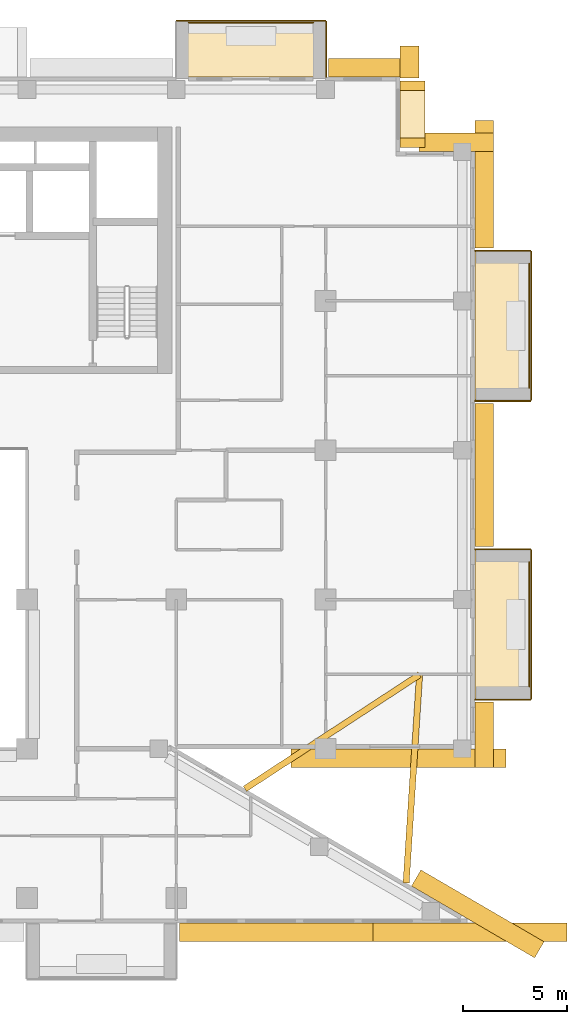
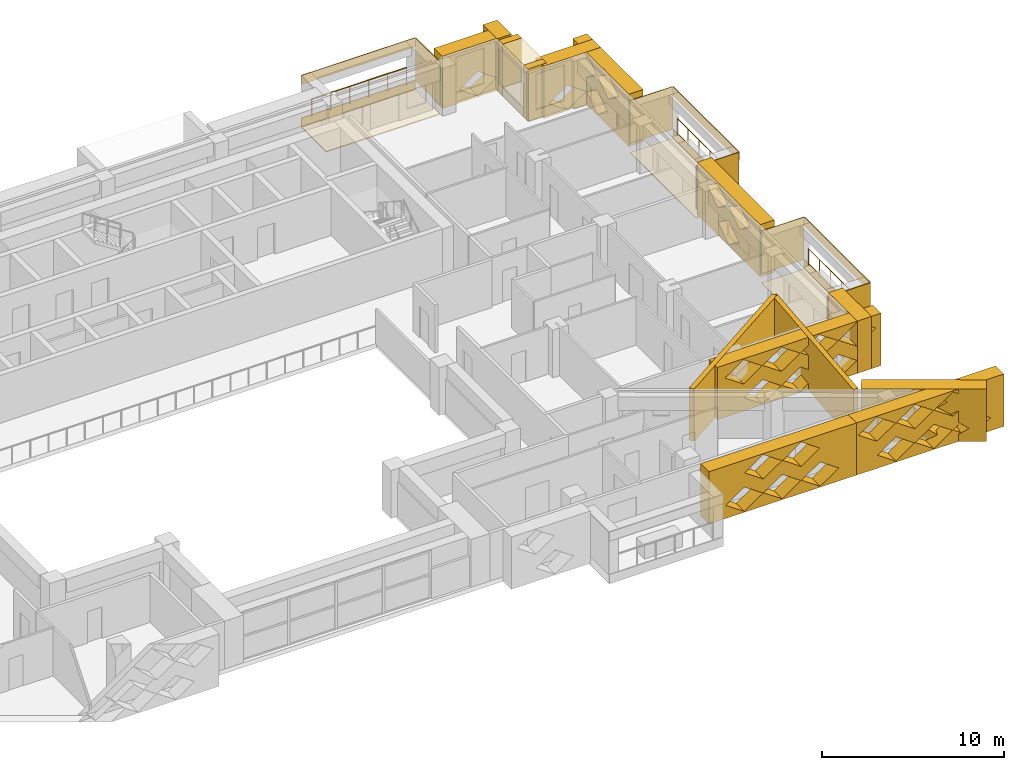
# One storey, part 19 of 19: 30 coverings, 3 railings.
"""IFC4 building model written with IfcOpenShell, lengths in metres."""

from ifc_helpers import new_model, si_unit, direction, frame, origin, origin_2d, place, context, subcontext, project, spatial, polyline, circle, outline, extrude, material, layer, layer_set, type_object, element, save


model = new_model("IFC4")

# Units and contexts
model_context = context("Model", 3, precision=1e-05, world=origin(), true_north=direction((0.0, 1.0)))
body_context = subcontext(model_context, "Body", "Model", "MODEL_VIEW")
ifc_project = project(units=[si_unit("LENGTHUNIT", "METRE"), si_unit("AREAUNIT", "SQUARE_METRE"), si_unit("VOLUMEUNIT", "CUBIC_METRE"), si_unit("PLANEANGLEUNIT", "RADIAN"), si_unit("MASSUNIT", "GRAM", prefix="KILO")], contexts=[model_context])

# Site, building, storey
site_placement = place(None, origin())
site = spatial("IfcSite", under=ifc_project, at=site_placement, CompositionType="ELEMENT")
building_placement = place(site_placement, origin())
building = spatial("IfcBuilding", under=site, at=building_placement, Name="Saffron Iwan Residences", CompositionType="ELEMENT")
storey_placement = place(building_placement, frame((0.0, 0.0, 160.5)))
storey = spatial("IfcBuildingStorey", under=building, at=storey_placement, Name="L42", CompositionType="ELEMENT", Elevation=160.5)

# Railings
ifc_material_1 = material(Name="Stainless steel 316", Category="steel")
railing_type = type_object("IfcRailingType", Name="BALCONY GUARD 1150", PredefinedType="GUARDRAIL", material=ifc_material_1)
for number, where, name in (
    (1, (89.02490234375, 51.0, 0.0), "Balcony guard L42 F2-0"),
    (2, (89.02490234375, 65.39990234375, 0.0), "Balcony guard L42 F2-1"),
):
    element("IfcRailing", number, at=place(storey_placement, frame(where)), inside=storey, type_object=railing_type, Name=name, PredefinedType="GUARDRAIL", context=body_context, shape_type="SweptSolid", body=[
        extrude(circle(Radius=0.02392578125, at=origin_2d()), frame((0.0, 0.0, 1.1259765625), z_axis=(0.0, 1.0, 0.0), x_axis=(-1.0, 0.0, 0.0)), (0.0, 0.0, 1.0), 6.0),
        extrude(circle(Radius=0.02099609375, at=origin_2d()), origin(), (0.0, 0.0, 1.0), 1.101806640625),
        extrude(circle(Radius=0.02099609375, at=origin_2d()), frame((0.0, 1.199951171875, 0.0)), (0.0, 0.0, 1.0), 1.101806640625),
        extrude(circle(Radius=0.02099609375, at=origin_2d()), frame((0.0, 2.39990234375, 0.0)), (0.0, 0.0, 1.0), 1.101806640625),
        extrude(circle(Radius=0.02099609375, at=origin_2d()), frame((0.0, 3.60009765625, 0.0)), (0.0, 0.0, 1.0), 1.101806640625),
        extrude(circle(Radius=0.02099609375, at=origin_2d()), frame((0.0, 4.800048828125, 0.0)), (0.0, 0.0, 1.0), 1.101806640625),
        extrude(circle(Radius=0.02099609375, at=origin_2d()), frame((0.0, 6.0, 0.0)), (0.0, 0.0, 1.0), 1.101806640625),
    ])
railing_placement = place(storey_placement, frame((78.60009765625, 83.02490234375, 0.0)))
element("IfcRailing", 3, at=railing_placement, inside=storey, type_object=railing_type, Name="Balcony guard L42 F5-0", PredefinedType="GUARDRAIL", context=body_context, shape_type="SweptSolid", body=[
    extrude(circle(Radius=0.02392578125, at=origin_2d()), frame((0.0, 0.0, 1.1259765625), z_axis=(-1.0, 0.0, 0.0), x_axis=(0.0, -1.0, 0.0)), (0.0, 0.0, 1.0), 6.0),
    extrude(circle(Radius=0.02099609375, at=origin_2d()), origin(), (0.0, 0.0, 1.0), 1.101806640625),
    extrude(circle(Radius=0.02099609375, at=origin_2d()), frame((-1.199951171875, 0.0, 0.0)), (0.0, 0.0, 1.0), 1.101806640625),
    extrude(circle(Radius=0.02099609375, at=origin_2d()), frame((-2.39990234375, 0.0, 0.0)), (0.0, 0.0, 1.0), 1.101806640625),
    extrude(circle(Radius=0.02099609375, at=origin_2d()), frame((-3.60009765625, 0.0, 0.0)), (0.0, 0.0, 1.0), 1.101806640625),
    extrude(circle(Radius=0.02099609375, at=origin_2d()), frame((-4.800048828125, 0.0, 0.0)), (0.0, 0.0, 1.0), 1.101806640625),
    extrude(circle(Radius=0.02099609375, at=origin_2d()), frame((-6.0, 0.0, 0.0)), (0.0, 0.0, 1.0), 1.101806640625),
])

# Coverings
ifc_material_2 = material(Name="Precast concrete C40/50 white painted", Category="concrete")
ifc_layer_1 = layer(ifc_material_2, 0.050048828125)
ifc_layer_set_1 = layer_set([ifc_layer_1], Name="Precast concrete C40/50 white painted")
covering_type_1 = type_object("IfcCoveringType", Name="FRAME SKIN PRECAST WHITE 50", PredefinedType="CLADDING", material=ifc_layer_set_1)
for number, where, name in (
    (4, (0.0, 0.0, -0.60009765625), "Frame skin slab edge L42 F2-0"),
    (5, (0.0, 0.0, 2.25), "Frame skin fascia L42 F2-0"),
):
    element("IfcCovering", number, at=place(storey_placement, frame(where)), inside=storey, type_object=covering_type_1, Name=name, PredefinedType="CLADDING", context=body_context, shape_type="SweptSolid", body=[
        extrude(outline(polyline([(89.14990234375, 50.39990234375), (89.14990234375, 57.60009765625), (89.10009765625, 57.60009765625), (89.10009765625, 50.39990234375), (89.14990234375, 50.39990234375)])), origin(), (0.0, 0.0, 1.0), 0.60009765625),
    ])
covering_1_placement = place(storey_placement, frame((0.0, 0.0, -0.64990234375)))
element("IfcCovering", 6, at=covering_1_placement, inside=storey, type_object=covering_type_1, Name="Frame skin soffit L42 F2-0", PredefinedType="CLADDING", context=body_context, shape_type="SweptSolid", body=[
    extrude(outline(polyline([(89.10009765625, 50.39990234375), (89.10009765625, 57.60009765625), (86.39990234375, 57.60009765625), (86.39990234375, 50.39990234375), (89.10009765625, 50.39990234375)])), origin(), (0.0, 0.0, 1.0), 0.0498046875),
])
covering_2_placement = place(storey_placement, origin())
element("IfcCovering", 7, at=covering_2_placement, inside=storey, type_object=covering_type_1, Name="Frame skin fin L42 F2-0a", PredefinedType="CLADDING", context=body_context, shape_type="SweptSolid", body=[
    extrude(outline(polyline([(89.10009765625, 50.35009765625), (89.10009765625, 50.39990234375), (86.39990234375, 50.39990234375), (86.39990234375, 50.35009765625), (89.10009765625, 50.35009765625)])), origin(), (0.0, 0.0, 1.0), 2.85009765625),
])
covering_3_placement = place(storey_placement, origin())
element("IfcCovering", 8, at=covering_3_placement, inside=storey, type_object=covering_type_1, Name="Frame skin fin L42 F2-0b", PredefinedType="CLADDING", context=body_context, shape_type="SweptSolid", body=[
    extrude(outline(polyline([(89.10009765625, 57.60009765625), (89.10009765625, 57.64990234375), (86.39990234375, 57.64990234375), (86.39990234375, 57.60009765625), (89.10009765625, 57.60009765625)])), origin(), (0.0, 0.0, 1.0), 2.85009765625),
])
for number, where, name in (
    (9, (0.0, 0.0, -0.60009765625), "Frame skin slab edge L42 F2-1"),
    (10, (0.0, 0.0, 2.25), "Frame skin fascia L42 F2-1"),
):
    element("IfcCovering", number, at=place(storey_placement, frame(where)), inside=storey, type_object=covering_type_1, Name=name, PredefinedType="CLADDING", context=body_context, shape_type="SweptSolid", body=[
        extrude(outline(polyline([(89.14990234375, 64.800048828125), (89.14990234375, 72.0), (89.10009765625, 72.0), (89.10009765625, 64.800048828125), (89.14990234375, 64.800048828125)])), origin(), (0.0, 0.0, 1.0), 0.60009765625),
    ])
covering_4_placement = place(storey_placement, frame((0.0, 0.0, -0.64990234375)))
element("IfcCovering", 11, at=covering_4_placement, inside=storey, type_object=covering_type_1, Name="Frame skin soffit L42 F2-1", PredefinedType="CLADDING", context=body_context, shape_type="SweptSolid", body=[
    extrude(outline(polyline([(89.10009765625, 64.800048828125), (89.10009765625, 72.0), (86.39990234375, 72.0), (86.39990234375, 64.800048828125), (89.10009765625, 64.800048828125)])), origin(), (0.0, 0.0, 1.0), 0.0498046875),
])
covering_5_placement = place(storey_placement, origin())
element("IfcCovering", 12, at=covering_5_placement, inside=storey, type_object=covering_type_1, Name="Frame skin fin L42 F2-1a", PredefinedType="CLADDING", context=body_context, shape_type="SweptSolid", body=[
    extrude(outline(polyline([(89.10009765625, 64.75), (89.10009765625, 64.800048828125), (86.39990234375, 64.800048828125), (86.39990234375, 64.75), (89.10009765625, 64.75)])), origin(), (0.0, 0.0, 1.0), 2.85009765625),
])
covering_6_placement = place(storey_placement, origin())
element("IfcCovering", 13, at=covering_6_placement, inside=storey, type_object=covering_type_1, Name="Frame skin fin L42 F2-1b", PredefinedType="CLADDING", context=body_context, shape_type="SweptSolid", body=[
    extrude(outline(polyline([(89.10009765625, 72.0), (89.10009765625, 72.050048828125), (86.39990234375, 72.050048828125), (86.39990234375, 72.0), (89.10009765625, 72.0)])), origin(), (0.0, 0.0, 1.0), 2.85009765625),
])
for number, where, name in (
    (14, (0.0, 0.0, -0.60009765625), "Frame skin slab edge L42 F5-0"),
    (15, (0.0, 0.0, 2.25), "Frame skin fascia L42 F5-0"),
):
    element("IfcCovering", number, at=place(storey_placement, frame(where)), inside=storey, type_object=covering_type_1, Name=name, PredefinedType="CLADDING", context=body_context, shape_type="SweptSolid", body=[
        extrude(outline(polyline([(79.199951171875, 83.14990234375), (72.0, 83.14990234375), (72.0, 83.10009765625), (79.199951171875, 83.10009765625), (79.199951171875, 83.14990234375)])), origin(), (0.0, 0.0, 1.0), 0.60009765625),
    ])
covering_7_placement = place(storey_placement, frame((0.0, 0.0, -0.64990234375)))
element("IfcCovering", 16, at=covering_7_placement, inside=storey, type_object=covering_type_1, Name="Frame skin soffit L42 F5-0", PredefinedType="CLADDING", context=body_context, shape_type="SweptSolid", body=[
    extrude(outline(polyline([(79.199951171875, 83.10009765625), (72.0, 83.10009765625), (72.0, 80.39990234375), (79.199951171875, 80.39990234375), (79.199951171875, 83.10009765625)])), origin(), (0.0, 0.0, 1.0), 0.0498046875),
])
covering_8_placement = place(storey_placement, origin())
element("IfcCovering", 17, at=covering_8_placement, inside=storey, type_object=covering_type_1, Name="Frame skin fin L42 F5-0a", PredefinedType="CLADDING", context=body_context, shape_type="SweptSolid", body=[
    extrude(outline(polyline([(79.25, 83.10009765625), (79.199951171875, 83.10009765625), (79.199951171875, 80.39990234375), (79.25, 80.39990234375), (79.25, 83.10009765625)])), origin(), (0.0, 0.0, 1.0), 2.85009765625),
])
ifc_material_3 = material(Name="Precast concrete C40/50", Category="concrete")
covering_type_2 = type_object("IfcCoveringType", Name="OUTER SKIN LATTICE SCREEN", PredefinedType="CLADDING", material=ifc_material_3)
covering_9_placement = place(storey_placement, frame((89.283935546875, 37.917724609375, -0.300048828125), z_axis=(0.503803550485, 0.863818257806, 0.0), x_axis=(-0.863818257806, 0.503803550485, 0.0)))
element("IfcCovering", 18, at=covering_9_placement, inside=storey, type_object=covering_type_2, Name="OUTER SKIN lattice screen L42 F0.0", PredefinedType="CLADDING", context=body_context, shape_type="SweptSolid", body=[
    extrude(outline(polyline([(0.0, 0.0), (6.874267578125, 0.0), (6.874267578125, 3.5), (0.0, 3.5), (0.0, 0.0)]), holes=[polyline([(0.958740234375, 0.875), (2.138671875, 0.06005859375), (3.318603515625, 0.875), (2.138671875, 1.68994140625), (0.958740234375, 0.875)]), polyline([(3.358642578125, 0.875), (4.538818359375, 0.06005859375), (5.71875, 0.875), (4.538818359375, 1.68994140625), (3.358642578125, 0.875)]), polyline([(2.15869140625, 2.625), (3.338623046875, 1.81005859375), (4.518798828125, 2.625), (3.338623046875, 3.43994140625), (2.15869140625, 2.625)])]), origin(), (0.0, 0.0, 1.0), 0.89990234375),
])
covering_10_placement = place(storey_placement, frame((77.538818359375, 48.0, -0.300048828125), z_axis=(0.0, -1.0, 0.0), x_axis=(1.0, 0.0, 0.0)))
element("IfcCovering", 19, at=covering_10_placement, inside=storey, type_object=covering_type_2, Name="OUTER SKIN lattice screen L42 F1.0", PredefinedType="CLADDING", context=body_context, shape_type="SweptSolid", body=[
    extrude(outline(polyline([(0.0, 0.0), (10.361328125, 0.0), (10.361328125, 3.5), (0.0, 3.5), (0.0, 0.0)]), holes=[polyline([(1.681396484375, 0.875), (2.861328125, 0.06005859375), (4.041259765625, 0.875), (2.861328125, 1.68994140625), (1.681396484375, 0.875)]), polyline([(4.081298828125, 0.875), (5.26123046875, 0.06005859375), (6.44140625, 0.875), (5.26123046875, 1.68994140625), (4.081298828125, 0.875)]), polyline([(6.481201171875, 0.875), (7.661376953125, 0.06005859375), (8.84130859375, 0.875), (7.661376953125, 1.68994140625), (6.481201171875, 0.875)]), polyline([(0.481201171875, 2.625), (1.661376953125, 1.81005859375), (2.84130859375, 2.625), (1.661376953125, 3.43994140625), (0.481201171875, 2.625)]), polyline([(2.88134765625, 2.625), (4.061279296875, 1.81005859375), (5.2412109375, 2.625), (4.061279296875, 3.43994140625), (2.88134765625, 2.625)]), polyline([(5.28125, 2.625), (6.461181640625, 1.81005859375), (7.641357421875, 2.625), (6.461181640625, 3.43994140625), (5.28125, 2.625)]), polyline([(7.681396484375, 2.625), (8.861328125, 1.81005859375), (10.041259765625, 2.625), (8.861328125, 3.43994140625), (7.681396484375, 2.625)])]), origin(), (0.0, 0.0, 1.0), 0.89990234375),
])
covering_11_placement = place(storey_placement, frame((86.39990234375, 47.10009765625, -0.300048828125), z_axis=(1.0, 0.0, 0.0), x_axis=(0.0, 1.0, 0.0)))
element("IfcCovering", 20, at=covering_11_placement, inside=storey, type_object=covering_type_2, Name="OUTER SKIN lattice screen L42 F2.0", PredefinedType="CLADDING", context=body_context, shape_type="SweptSolid", body=[
    extrude(outline(polyline([(0.0, 0.0), (3.14990234375, 0.0), (3.14990234375, 3.5), (0.0, 3.5), (0.0, 0.0)])), origin(), (0.0, 0.0, 1.0), 0.900146484375),
])
covering_12_placement = place(storey_placement, frame((86.39990234375, 57.75, -0.300048828125), z_axis=(1.0, 0.0, 0.0), x_axis=(0.0, 1.0, 0.0)))
element("IfcCovering", 21, at=covering_12_placement, inside=storey, type_object=covering_type_2, Name="OUTER SKIN lattice screen L42 F2.1", PredefinedType="CLADDING", context=body_context, shape_type="SweptSolid", body=[
    extrude(outline(polyline([(0.0, 0.0), (6.89990234375, 0.0), (6.89990234375, 3.5), (0.0, 3.5), (0.0, 0.0)]), holes=[polyline([(2.27001953125, 0.875), (3.449951171875, 0.06005859375), (4.6298828125, 0.875), (3.449951171875, 1.68994140625), (2.27001953125, 0.875)]), polyline([(1.070068359375, 2.625), (2.25, 1.81005859375), (3.429931640625, 2.625), (2.25, 3.43994140625), (1.070068359375, 2.625)]), polyline([(3.469970703125, 2.625), (4.64990234375, 1.81005859375), (5.830078125, 2.625), (4.64990234375, 3.43994140625), (3.469970703125, 2.625)])]), origin(), (0.0, 0.0, 1.0), 0.900146484375),
])
covering_13_placement = place(storey_placement, frame((86.39990234375, 72.14990234375, -0.300048828125), z_axis=(1.0, 0.0, 0.0), x_axis=(0.0, 1.0, 0.0)))
element("IfcCovering", 22, at=covering_13_placement, inside=storey, type_object=covering_type_2, Name="OUTER SKIN lattice screen L42 F2.2", PredefinedType="CLADDING", context=body_context, shape_type="SweptSolid", body=[
    extrude(outline(polyline([(0.0, 0.0), (6.14990234375, 0.0), (6.14990234375, 3.5), (0.0, 3.5), (0.0, 0.0)]), holes=[polyline([(2.27001953125, 0.875), (3.449951171875, 0.06005859375), (4.6298828125, 0.875), (3.449951171875, 1.68994140625), (2.27001953125, 0.875)]), polyline([(1.070068359375, 2.625), (2.25, 1.81005859375), (3.429931640625, 2.625), (2.25, 3.43994140625), (1.070068359375, 2.625)]), polyline([(3.469970703125, 2.625), (4.64990234375, 1.81005859375), (5.830078125, 2.625), (4.64990234375, 3.43994140625), (3.469970703125, 2.625)])]), origin(), (0.0, 0.0, 1.0), 0.900146484375),
])
covering_14_placement = place(storey_placement, frame((87.300048828125, 76.800048828125, -0.300048828125), z_axis=(0.0, 1.0, 0.0), x_axis=(-1.0, 0.0, 0.0)))
element("IfcCovering", 23, at=covering_14_placement, inside=storey, type_object=covering_type_2, Name="OUTER SKIN lattice screen L42 F3.0", PredefinedType="CLADDING", context=body_context, shape_type="SweptSolid", body=[
    extrude(outline(polyline([(0.0, 0.0), (3.60009765625, 0.0), (3.60009765625, 3.5), (0.0, 3.5), (0.0, 0.0)]), holes=[polyline([(0.919921875, 0.875), (2.10009765625, 0.06005859375), (3.280029296875, 0.875), (2.10009765625, 1.68994140625), (0.919921875, 0.875)])]), origin(), (0.0, 0.0, 1.0), 0.89990234375),
])
covering_15_placement = place(storey_placement, frame((82.800048828125, 80.35009765625, -0.300048828125), z_axis=(1.0, 0.0, 0.0), x_axis=(0.0, 1.0, 0.0)))
element("IfcCovering", 24, at=covering_15_placement, inside=storey, type_object=covering_type_2, Name="OUTER SKIN lattice screen L42 F4.0", PredefinedType="CLADDING", context=body_context, shape_type="SweptSolid", body=[
    extrude(outline(polyline([(0.0, 0.0), (1.550048828125, 0.0), (1.550048828125, 3.5), (0.0, 3.5), (0.0, 0.0)])), origin(), (0.0, 0.0, 1.0), 0.89990234375),
])
covering_16_placement = place(storey_placement, frame((83.699951171875, 80.39990234375, -0.300048828125), z_axis=(0.0, 1.0, 0.0), x_axis=(-1.0, 0.0, 0.0)))
element("IfcCovering", 25, at=covering_16_placement, inside=storey, type_object=covering_type_2, Name="OUTER SKIN lattice screen L42 F5.0", PredefinedType="CLADDING", context=body_context, shape_type="SweptSolid", body=[
    extrude(outline(polyline([(0.0, 0.0), (4.35009765625, 0.0), (4.35009765625, 3.5), (0.0, 3.5), (0.0, 0.0)]), holes=[polyline([(0.919921875, 0.875), (2.10009765625, 0.06005859375), (3.280029296875, 0.875), (2.10009765625, 1.68994140625), (0.919921875, 0.875)])]), origin(), (0.0, 0.0, 1.0), 0.900146484375),
])
covering_17_placement = place(storey_placement, frame((72.14990234375, 39.60009765625, -0.300048828125), z_axis=(0.0, -1.0, 0.0), x_axis=(1.0, 0.0, 0.0)))
element("IfcCovering", 26, at=covering_17_placement, inside=storey, type_object=covering_type_2, Name="OUTER SKIN lattice screen L42 F11.3", PredefinedType="CLADDING", context=body_context, shape_type="SweptSolid", body=[
    extrude(outline(polyline([(0.0, 0.0), (9.34423828125, 0.0), (9.34423828125, 3.5), (0.0, 3.5), (0.0, 0.0)]), holes=[polyline([(1.070068359375, 0.875), (2.25, 0.06005859375), (3.429931640625, 0.875), (2.25, 1.68994140625), (1.070068359375, 0.875)]), polyline([(3.469970703125, 0.875), (4.64990234375, 0.06005859375), (5.830078125, 0.875), (4.64990234375, 1.68994140625), (3.469970703125, 0.875)]), polyline([(5.8701171875, 0.875), (7.050048828125, 0.06005859375), (8.22998046875, 0.875), (7.050048828125, 1.68994140625), (5.8701171875, 0.875)]), polyline([(2.27001953125, 2.625), (3.449951171875, 1.81005859375), (4.6298828125, 2.625), (3.449951171875, 3.43994140625), (2.27001953125, 2.625)]), polyline([(4.669921875, 2.625), (5.85009765625, 1.81005859375), (7.030029296875, 2.625), (5.85009765625, 3.43994140625), (4.669921875, 2.625)])]), origin(), (0.0, 0.0, 1.0), 0.900146484375),
])
covering_18_placement = place(storey_placement, frame((81.494384765625, 39.60009765625, -0.300048828125), z_axis=(0.0, -1.0, 0.0), x_axis=(1.0, 0.0, 0.0)))
element("IfcCovering", 27, at=covering_18_placement, inside=storey, type_object=covering_type_2, Name="OUTER SKIN lattice screen L42 F11.4", PredefinedType="CLADDING", context=body_context, shape_type="SweptSolid", body=[
    extrude(outline(polyline([(0.0, 0.0), (9.344482421875, 0.0), (9.344482421875, 3.5), (0.0, 3.5), (0.0, 0.0)]), holes=[polyline([(1.32568359375, 0.875), (2.505615234375, 0.06005859375), (3.685791015625, 0.875), (2.505615234375, 1.68994140625), (1.32568359375, 0.875)]), polyline([(3.7255859375, 0.875), (4.90576171875, 0.06005859375), (6.085693359375, 0.875), (4.90576171875, 1.68994140625), (3.7255859375, 0.875)]), polyline([(6.125732421875, 0.875), (7.3056640625, 0.06005859375), (8.485595703125, 0.875), (7.3056640625, 1.68994140625), (6.125732421875, 0.875)]), polyline([(0.125732421875, 2.625), (1.3056640625, 1.81005859375), (2.485595703125, 2.625), (1.3056640625, 3.43994140625), (0.125732421875, 2.625)]), polyline([(2.525634765625, 2.625), (3.705810546875, 1.81005859375), (4.8857421875, 2.625), (3.705810546875, 3.43994140625), (2.525634765625, 2.625)]), polyline([(4.92578125, 2.625), (6.105712890625, 1.81005859375), (7.28564453125, 2.625), (6.105712890625, 3.43994140625), (4.92578125, 2.625)])]), origin(), (0.0, 0.0, 1.0), 0.900146484375),
])
ifc_layer_2 = layer(ifc_material_2, 0.300048828125)
ifc_layer_set_2 = layer_set([ifc_layer_2], Name="Precast concrete C40/50 white painted")
covering_type_3 = type_object("IfcCoveringType", Name="PROW NOSE BLADE PRECAST WHITE", PredefinedType="CLADDING", material=ifc_layer_set_2)
covering_19_placement = place(storey_placement, frame((0.0, 0.0, -0.300048828125)))
element("IfcCovering", 28, at=covering_19_placement, inside=storey, type_object=covering_type_3, Name="Prow nose blade L42 a", PredefinedType="CLADDING", context=body_context, shape_type="SweptSolid", body=[
    extrude(outline(polyline([(83.23681640625, 41.52294921875), (83.884521484375, 51.564453125), (83.585205078125, 51.583740234375), (82.937255859375, 41.542236328125), (83.23681640625, 41.52294921875)])), origin(), (0.0, 0.0, 1.0), 3.5),
])
covering_20_placement = place(storey_placement, frame((0.0, 0.0, -0.300048828125)))
element("IfcCovering", 29, at=covering_20_placement, inside=storey, type_object=covering_type_3, Name="Prow nose blade L42 b", PredefinedType="CLADDING", context=body_context, shape_type="SweptSolid", body=[
    extrude(outline(polyline([(75.39501953125, 45.94189453125), (83.81689453125, 51.448486328125), (83.65283203125, 51.69970703125), (75.23095703125, 46.193115234375), (75.39501953125, 45.94189453125)])), origin(), (0.0, 0.0, 1.0), 3.5),
])
covering_type_4 = type_object("IfcCoveringType", Name="WHITE SUN FRAME PRECAST", PredefinedType="CLADDING", material=ifc_material_2)
for number, where, z_axis, x_axis, name in (
    (30, (82.800048828125, 77.0, -0.300048828125), (1.0, 0.0, 0.0), (0.0, 1.0, 0.0), "Sun frame L42 F4 0.2a"),
    (31, (82.800048828125, 79.75, -0.300048828125), (1.0, 0.0, 0.0), (0.0, 1.0, 0.0), "Sun frame L42 F4 0.2b"),
):
    element("IfcCovering", number, at=place(storey_placement, frame(where, z_axis=z_axis, x_axis=x_axis)), inside=storey, type_object=covering_type_4, Name=name, PredefinedType="CLADDING", context=body_context, shape_type="SweptSolid", body=[
        extrude(outline(polyline([(0.0, 0.0), (0.449951171875, 0.0), (0.449951171875, 3.5), (0.0, 3.5), (0.0, 0.0)])), origin(), (0.0, 0.0, 1.0), 1.199951171875),
    ])
for number, where, z_axis, x_axis, name in (
    (32, (82.800048828125, 77.449951171875, 2.60009765625), (1.0, 0.0, 0.0), (0.0, 1.0, 0.0), "Sun frame L42 F4 0.2h"),
    (33, (82.800048828125, 77.449951171875, -0.300048828125), (1.0, 0.0, 0.0), (0.0, 1.0, 0.0), "Sun frame L42 F4 0.2s"),
):
    element("IfcCovering", number, at=place(storey_placement, frame(where, z_axis=z_axis, x_axis=x_axis)), inside=storey, type_object=covering_type_4, Name=name, PredefinedType="CLADDING", context=body_context, shape_type="SweptSolid", body=[
        extrude(outline(polyline([(0.0, 0.0), (2.300048828125, 0.0), (2.300048828125, 0.60009765625), (0.0, 0.60009765625), (0.0, 0.0)])), origin(), (0.0, 0.0, 1.0), 1.199951171875),
    ])

save(model, "model.ifc")
